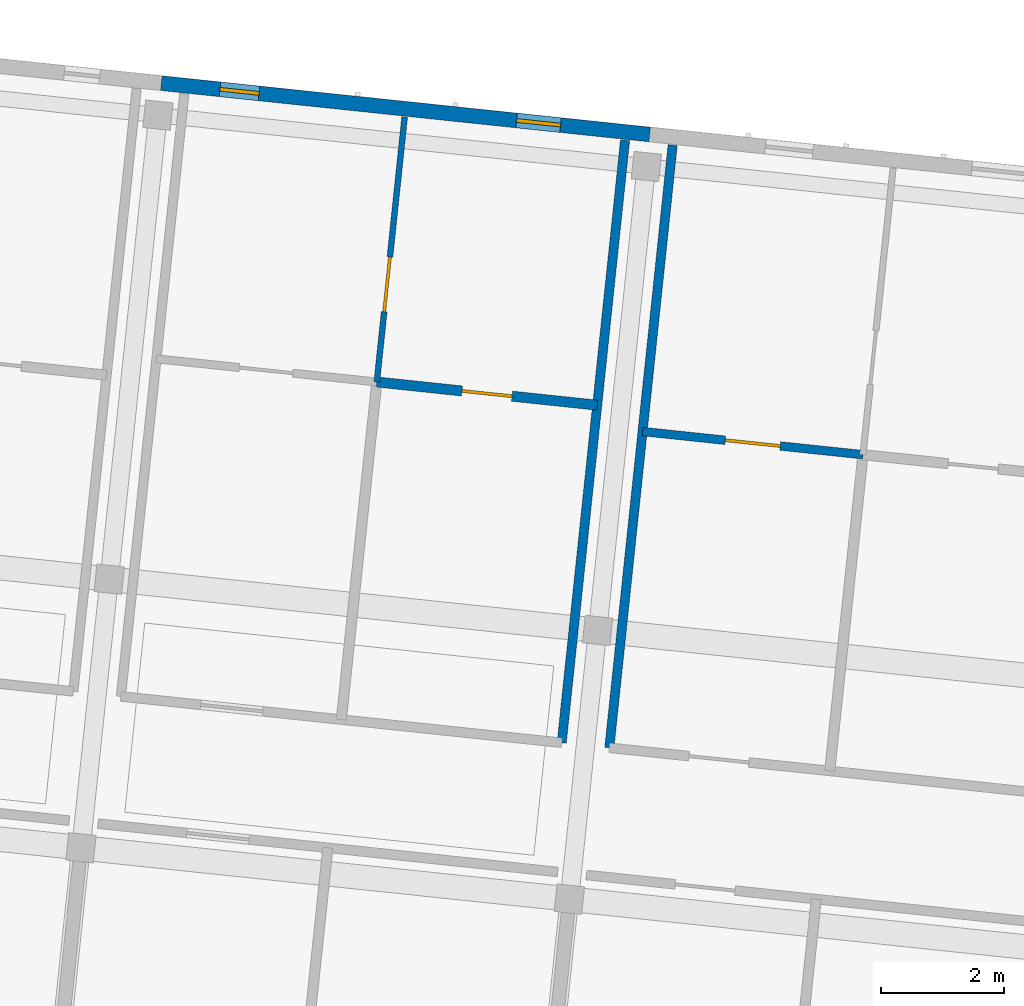
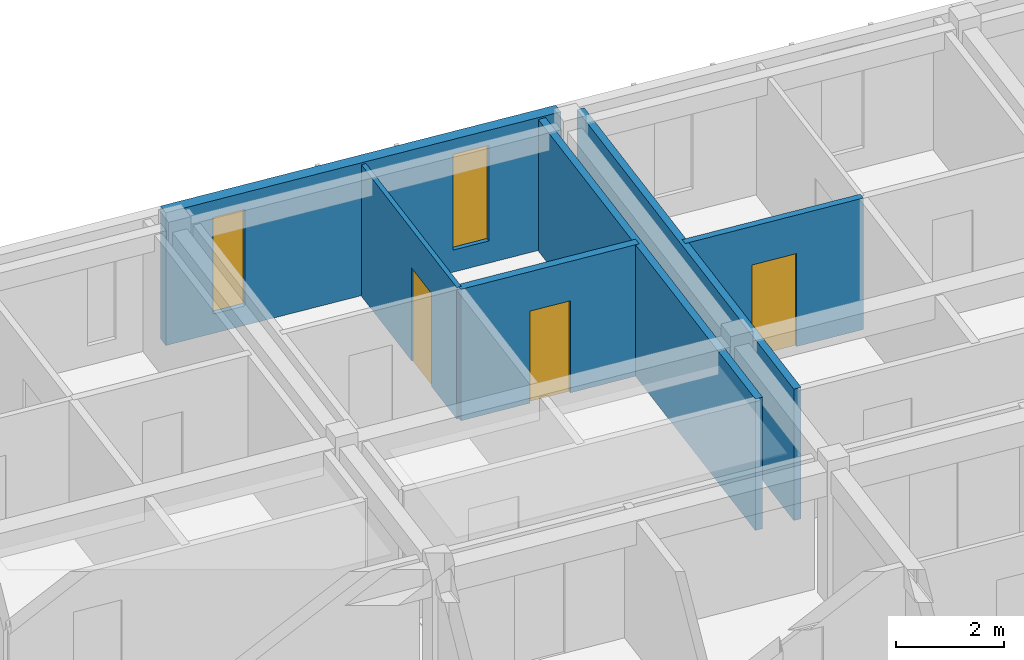
# One storey, part 31 of 64: 6 walls, 3 doors, 2 windows, 5 openings.
"""IFC4 building model written with IfcOpenShell, lengths in metres."""

from ifc_helpers import new_model, si_unit, direction, frame, frame_2d, origin, place, context, subcontext, project, spatial, rectangle, extrude, material, layer, layer_set, type_object, element, fill, save


model = new_model("IFC4")

# Units and contexts
model_context = context("Model", 3, precision=1e-05, world=origin(), true_north=direction((0.0, 1.0)))
body_context = subcontext(model_context, "Body", "Model", "MODEL_VIEW")
ifc_project = project(units=[si_unit("LENGTHUNIT", "METRE"), si_unit("AREAUNIT", "SQUARE_METRE"), si_unit("VOLUMEUNIT", "CUBIC_METRE"), si_unit("PLANEANGLEUNIT", "RADIAN"), si_unit("MASSUNIT", "GRAM", prefix="KILO")], contexts=[model_context])

# Site, building, storey
site_placement = place(None, origin())
site = spatial("IfcSite", under=ifc_project, at=site_placement, CompositionType="ELEMENT")
building_placement = place(site_placement, origin())
building = spatial("IfcBuilding", under=site, at=building_placement, Name="Kestramere Prow Commons", CompositionType="ELEMENT")
storey_placement = place(building_placement, frame((0.0, 0.0, 24.64990234375)))
storey = spatial("IfcBuildingStorey", under=building, at=storey_placement, Name="L07", CompositionType="ELEMENT", Elevation=24.64990234375)

# Wall, openings, windows
ifc_material_1 = material(Name="Fluoropolymer Standing-Seam Zinc-Aluminium Cladding", Category="aluminium")
ifc_layer_1 = layer(ifc_material_1, 0.239990234375)
ifc_layer_set_1 = layer_set([ifc_layer_1], Name="Fluoropolymer Standing-Seam Zinc-Aluminium Cladding")
wall_type_1 = type_object("IfcWallType", Name="EW-SEAM-240", PredefinedType="SOLIDWALL", material=ifc_layer_set_1)
wall_1_placement = place(storey_placement, frame((120.059814453125, 113.978515625, 0.0), z_axis=(0.0, 0.0, 1.0), x_axis=(0.994522329422, -0.104524333444, 0.0)))
wall_1 = element("IfcWall", 1, at=wall_1_placement, inside=storey, type_object=wall_type_1, Name="Block B L07 North Standing-Seam Wall 2", PredefinedType="SOLIDWALL", context=body_context, shape_type="SweptSolid", body=[
    extrude(rectangle(XDim=7.999755859375, YDim=0.239990234375, at=frame_2d((4.0, 0.0))), origin(), (0.0, 0.0, 1.0), 3.0),
])
opening_1_placement = place(wall_1_placement, frame((0.9599609375, 0.0, 0.43994140625)))
opening_1 = element("IfcOpeningElement", 2, at=opening_1_placement, cuts=wall_1, Name="Opening WN-04", PredefinedType="OPENING", context=body_context, shape_type="SweptSolid", body=[
    extrude(rectangle(XDim=0.639892578125, YDim=2.179931640625, at=frame_2d((0.31982421875, 1.08984375))), frame((0.0, 0.135009765625, 0.0), z_axis=(0.0, -1.0, 0.0), x_axis=(1.0, 0.0, 0.0)), (0.0, 0.0, 1.0), 0.27001953125),
])
opening_2_placement = place(wall_1_placement, frame((5.820068359375, 0.0, 0.5)))
opening_2 = element("IfcOpeningElement", 3, at=opening_2_placement, cuts=wall_1, Name="Opening WN-08", PredefinedType="OPENING", context=body_context, shape_type="SweptSolid", body=[
    extrude(rectangle(XDim=0.719970703125, YDim=2.159912109375, at=frame_2d((0.35986328125, 1.080078125))), frame((0.0, 0.135009765625, 0.0), z_axis=(0.0, -1.0, 0.0), x_axis=(1.0, 0.0, 0.0)), (0.0, 0.0, 1.0), 0.27001953125),
])
ifc_material_2 = material(Name="Low-E Laminated Double Glazing", Category="glass")
window_type_1 = type_object("IfcWindowType", Name="WN-NAR-640A", PartitioningType="SINGLE_PANEL", PredefinedType="WINDOW", material=ifc_material_2)
window_1_placement = place(opening_1_placement, origin())
window_1 = element("IfcWindow", 4, at=window_1_placement, inside=storey, type_object=window_type_1, Name="WN-B-L07-N-1-0", OverallHeight=2.179931640625, OverallWidth=0.639892578125, PartitioningType="SINGLE_PANEL", PredefinedType="WINDOW", context=body_context, shape_type="SweptSolid", body=[
    extrude(rectangle(XDim=0.639892578125, YDim=2.179931640625, at=frame_2d((0.31982421875, 1.08984375))), frame((0.0, 0.030029296875, 0.0), z_axis=(0.0, -1.0, 0.0), x_axis=(1.0, 0.0, 0.0)), (0.0, 0.0, 1.0), 0.06005859375),
])
fill(opening_1, window_1)
window_type_2 = type_object("IfcWindowType", Name="WN-NAR-720A", PartitioningType="SINGLE_PANEL", PredefinedType="WINDOW", material=ifc_material_2)
window_2_placement = place(opening_2_placement, origin())
window_2 = element("IfcWindow", 5, at=window_2_placement, inside=storey, type_object=window_type_2, Name="WN-B-L07-N-1-1", OverallHeight=2.159912109375, OverallWidth=0.719970703125, PartitioningType="SINGLE_PANEL", PredefinedType="WINDOW", context=body_context, shape_type="SweptSolid", body=[
    extrude(rectangle(XDim=0.719970703125, YDim=2.159912109375, at=frame_2d((0.35986328125, 1.080078125))), frame((0.0, 0.030029296875, 0.0), z_axis=(0.0, -1.0, 0.0), x_axis=(1.0, 0.0, 0.0)), (0.0, 0.0, 1.0), 0.06005859375),
])
fill(opening_2, window_2)

# Wall, opening, door
ifc_material_3 = material(Name="Masonry Compartment Wall", Category="masonry")
ifc_layer_2 = layer(ifc_material_3, 0.139892578125)
ifc_layer_set_2 = layer_set([ifc_layer_2], Name="Masonry Compartment Wall")
wall_type_2 = type_object("IfcWallType", Name="W-PART-140", PredefinedType="PARTITIONING", material=ifc_layer_set_2)
wall_2_placement = place(storey_placement, frame((127.8994140625, 108.302978515625, 0.0), z_axis=(0.0, 0.0, 1.0), x_axis=(0.994519525119, -0.104551012229, 0.0)))
wall_2 = element("IfcWall", 6, at=wall_2_placement, inside=storey, type_object=wall_type_2, Name="Interior Partition PW-B-L07-MIDN1-2", PredefinedType="PARTITIONING", context=body_context, shape_type="SweptSolid", body=[
    extrude(rectangle(XDim=3.610107421875, YDim=0.139892578125, at=frame_2d((1.80517578125, 0.0))), origin(), (0.0, 0.0, 1.0), 2.97021484375),
])
opening_3_placement = place(wall_2_placement, frame((1.35498046875, 0.0, 0.0)))
opening_3 = element("IfcOpeningElement", 7, at=opening_3_placement, cuts=wall_2, Name="Opening ID-08", PredefinedType="OPENING", context=body_context, shape_type="SweptSolid", body=[
    extrude(rectangle(XDim=0.89990234375, YDim=2.10009765625, at=frame_2d((0.449951171875, 1.050048828125))), frame((0.0, 0.0849609375, 0.0), z_axis=(0.0, -1.0, 0.0), x_axis=(1.0, 0.0, 0.0)), (0.0, 0.0, 1.0), 0.169921875),
])
ifc_material_4 = material(Name="Engineered Timber Flush Door", Category="wood")
door_type_1 = type_object("IfcDoorType", Name="D-RM-01", OperationType="NOTDEFINED", PredefinedType="DOOR", material=ifc_material_4)
door_1_placement = place(opening_3_placement, origin())
door_1 = element("IfcDoor", 8, at=door_1_placement, inside=storey, type_object=door_type_1, Name="Interior Door DR-B-L07-KL-N2", OperationType="SINGLE_SWING_LEFT", OverallHeight=2.10009765625, OverallWidth=0.89990234375, PredefinedType="DOOR", context=body_context, shape_type="SweptSolid", body=[
    extrude(rectangle(XDim=0.89990234375, YDim=2.10009765625, at=frame_2d((0.449951171875, 1.050048828125))), frame((0.0, 0.02490234375, 0.0), z_axis=(0.0, -1.0, 0.0), x_axis=(1.0, 0.0, 0.0)), (0.0, 0.0, 1.0), 0.050048828125),
])
fill(opening_3, door_1)

# Walls
ifc_layer_3 = layer(ifc_material_3, 0.14990234375)
ifc_layer_set_3 = layer_set([ifc_layer_3], Name="Masonry Compartment Wall")
wall_type_3 = type_object("IfcWallType", Name="W-PART-150", PredefinedType="PARTITIONING", material=ifc_layer_set_3)
for number, where, z_axis, x_axis, name in (
    (9, (126.582275390625, 103.23291015625, 0.0), (0.0, 0.0, 1.0), (0.10453284543, 0.994521434775, 0.0), "Interior Partition PW-B-L07-NWR-1"),
    (10, (127.358154296875, 103.1513671875, 0.0), (0.0, 0.0, 1.0), (0.104508379977, 0.994524006002, 0.0), "Interior Partition PW-B-L07-NWL-2"),
):
    element("IfcWall", number, at=place(storey_placement, frame(where, z_axis=z_axis, x_axis=x_axis)), inside=storey, type_object=wall_type_3, Name=name, PredefinedType="PARTITIONING", context=body_context, shape_type="SweptSolid", body=[
        extrude(rectangle(XDim=9.869873046875, YDim=0.14990234375, at=frame_2d((4.93505859375, 0.0))), origin(), (0.0, 0.0, 1.0), 2.97021484375),
    ])

# Wall, opening, door
ifc_material_5 = material(Name="Gypsum Acoustic Drywall")
ifc_layer_4 = layer(ifc_material_5, 0.094970703125)
ifc_layer_set_4 = layer_set([ifc_layer_4], Name="Gypsum Acoustic Drywall")
wall_type_4 = type_object("IfcWallType", Name="W-PART-95", PredefinedType="PARTITIONING", material=ifc_layer_set_4)
wall_3_placement = place(storey_placement, frame((123.570068359375, 109.10986328125, 0.0), z_axis=(0.0, 0.0, 1.0), x_axis=(0.104514950243, 0.994523315552, 0.0)))
wall_3 = element("IfcWall", 11, at=wall_3_placement, inside=storey, type_object=wall_type_4, Name="Interior Partition PW-B-L07-LB-N1", PredefinedType="PARTITIONING", context=body_context, shape_type="SweptSolid", body=[
    extrude(rectangle(XDim=4.340087890625, YDim=0.094970703125, at=frame_2d((2.169921875, 0.0))), origin(), (0.0, 0.0, 1.0), 2.97021484375),
])
opening_4_placement = place(wall_3_placement, frame((1.14990234375, 0.0, 0.0)))
opening_4 = element("IfcOpeningElement", 12, at=opening_4_placement, cuts=wall_3, Name="Opening ID-08", PredefinedType="OPENING", context=body_context, shape_type="SweptSolid", body=[
    extrude(rectangle(XDim=0.89990234375, YDim=2.10009765625, at=frame_2d((0.449951171875, 1.050048828125))), frame((0.0, 0.0625, 0.0), z_axis=(0.0, -1.0, 0.0), x_axis=(1.0, 0.0, 0.0)), (0.0, 0.0, 1.0), 0.125),
])
door_2_placement = place(opening_4_placement, origin())
door_2 = element("IfcDoor", 13, at=door_2_placement, inside=storey, type_object=door_type_1, Name="Interior Door DR-B-L07-BED-N1", OperationType="SINGLE_SWING_LEFT", OverallHeight=2.10009765625, OverallWidth=0.89990234375, PredefinedType="DOOR", context=body_context, shape_type="SweptSolid", body=[
    extrude(rectangle(XDim=0.89990234375, YDim=2.10009765625, at=frame_2d((0.449951171875, 1.050048828125))), frame((0.0, 0.02490234375, 0.0), z_axis=(0.0, -1.0, 0.0), x_axis=(1.0, 0.0, 0.0)), (0.0, 0.0, 1.0), 0.050048828125),
])
fill(opening_4, door_2)

ifc_material_6 = material(Name="Waterproof Sanitary Masonry Wall", Category="masonry")
ifc_layer_5 = layer(ifc_material_6, 0.1650390625)
ifc_layer_set_5 = layer_set([ifc_layer_5], Name="Waterproof Sanitary Masonry Wall")
wall_type_5 = type_object("IfcWallType", Name="W-PLUMB-150", PredefinedType="PLUMBINGWALL", material=ifc_layer_set_5)
wall_4_placement = place(storey_placement, frame((123.570068359375, 109.10986328125, 0.0), z_axis=(0.0, 0.0, 1.0), x_axis=(0.994526554618, -0.104484123955, 0.0)))
wall_4 = element("IfcWall", 14, at=wall_4_placement, inside=storey, type_object=wall_type_5, Name="Interior Partition PW-B-L07-MIDN2-1", PredefinedType="PLUMBINGWALL", context=body_context, shape_type="SweptSolid", body=[
    extrude(rectangle(XDim=3.610107421875, YDim=0.1650390625, at=frame_2d((1.80517578125, 0.0))), origin(), (0.0, 0.0, 1.0), 2.97021484375),
])
opening_5_placement = place(wall_4_placement, frame((1.39501953125, 0.0, 0.0)))
opening_5 = element("IfcOpeningElement", 15, at=opening_5_placement, cuts=wall_4, Name="Opening ID-11", PredefinedType="OPENING", context=body_context, shape_type="SweptSolid", body=[
    extrude(rectangle(XDim=0.820068359375, YDim=2.080078125, at=frame_2d((0.41015625, 1.0400390625))), frame((0.0, 0.097412109375, 0.0), z_axis=(0.0, -1.0, 0.0), x_axis=(1.0, 0.0, 0.0)), (0.0, 0.0, 1.0), 0.195068359375),
])
ifc_material_7 = material(Name="Moisture-Resistant Timber Bathroom Door", Category="wood")
door_type_2 = type_object("IfcDoorType", Name="D-BT-01", OperationType="NOTDEFINED", PredefinedType="DOOR", material=ifc_material_7)
door_3_placement = place(opening_5_placement, origin())
door_3 = element("IfcDoor", 16, at=door_3_placement, inside=storey, type_object=door_type_2, Name="Interior Door DR-B-L07-BTH-N1", OperationType="SINGLE_SWING_RIGHT", OverallHeight=2.080078125, OverallWidth=0.820068359375, PredefinedType="DOOR", context=body_context, shape_type="SweptSolid", body=[
    extrude(rectangle(XDim=0.820068359375, YDim=2.080078125, at=frame_2d((0.41015625, 1.0400390625))), frame((0.0, 0.02490234375, 0.0), z_axis=(0.0, -1.0, 0.0), x_axis=(1.0, 0.0, 0.0)), (0.0, 0.0, 1.0), 0.050048828125),
])
fill(opening_5, door_3)

save(model, "model.ifc")
